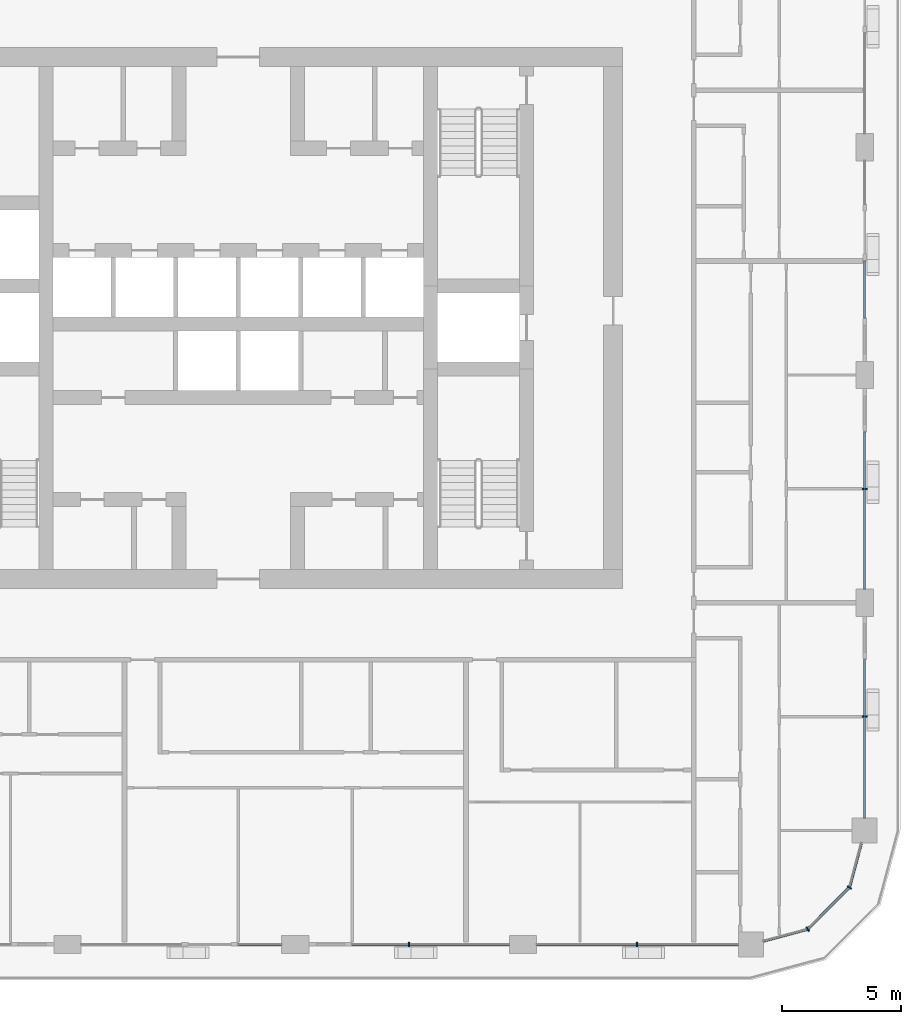
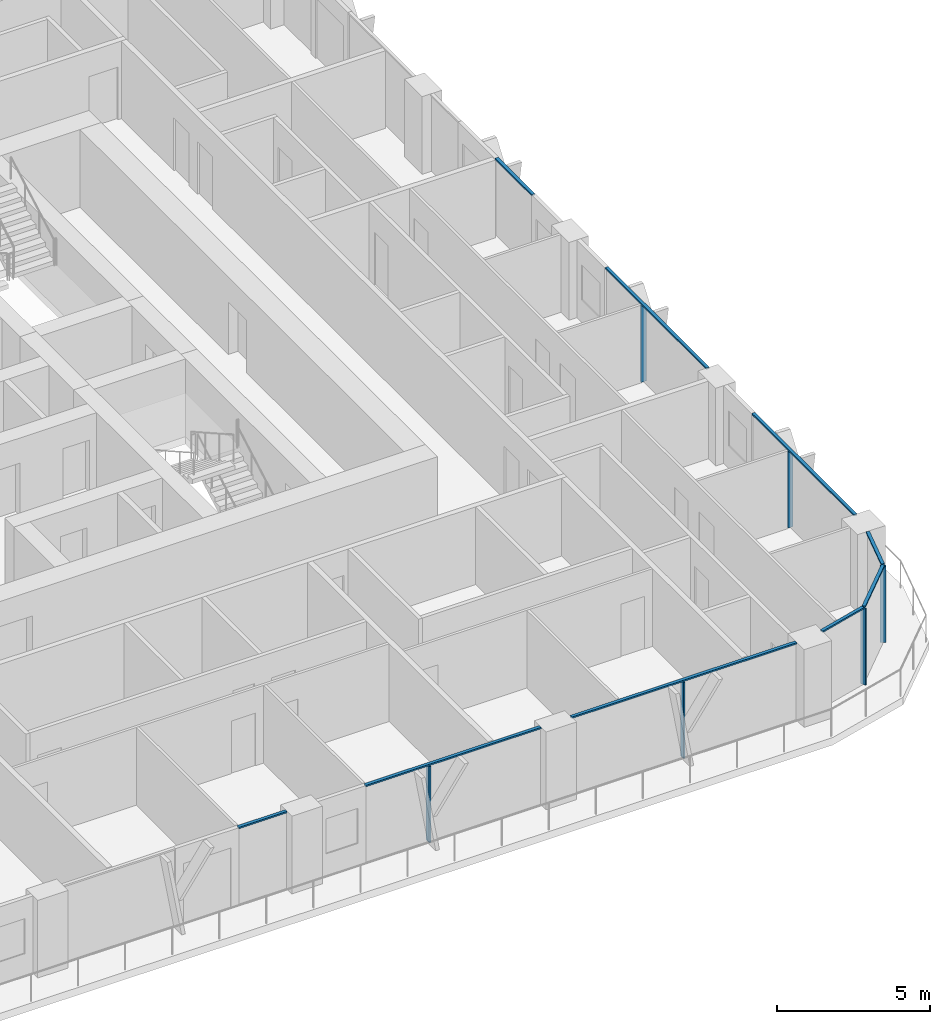
# One storey, part 4 of 22: 15 members, 7 elements without a shape of their own.
"""IFC4 building model written with IfcOpenShell, lengths in metres."""

from ifc_helpers import new_model, si_unit, direction, frame, origin, origin_2d, place, context, subcontext, project, spatial, rectangle, extrude, material, layer, layer_set, material_profile, profile_set, type_object, element, aggregate, save


model = new_model("IFC4")

# Units and contexts
model_context = context("Model", 3, precision=1e-05, world=origin(), true_north=direction((0.0, 1.0)))
body_context = subcontext(model_context, "Body", "Model", "MODEL_VIEW")
ifc_project = project(units=[si_unit("LENGTHUNIT", "METRE"), si_unit("AREAUNIT", "SQUARE_METRE"), si_unit("VOLUMEUNIT", "CUBIC_METRE"), si_unit("PLANEANGLEUNIT", "RADIAN"), si_unit("MASSUNIT", "GRAM", prefix="KILO")], contexts=[model_context])

# Site, building, storey
site_placement = place(None, origin())
site = spatial("IfcSite", under=ifc_project, at=site_placement, CompositionType="ELEMENT")
building_placement = place(site_placement, origin())
building = spatial("IfcBuilding", under=site, at=building_placement, Name="Madar Terraces", CompositionType="ELEMENT")
storey_placement = place(building_placement, frame((0.0, 0.0, 170.0)))
storey = spatial("IfcBuildingStorey", under=building, at=storey_placement, Name="L44", CompositionType="ELEMENT", Elevation=170.0)

# Curtain wall, member
ifc_material_1 = material(Name="Glass, ceramic frit dark grey, with black aluminium frame", Category="aluminium")
ifc_layer = layer(ifc_material_1, 0.199951171875)
ifc_layer_set = layer_set([ifc_layer], Name="Facade curtain wall, fritted glass")
curtain_wall_type = type_object("IfcCurtainWallType", Name="Facade curtain wall, fritted glass", PredefinedType="NOTDEFINED", material=ifc_layer_set)
curtain_wall_1_placement = place(storey_placement, origin())
curtain_wall_1 = element("IfcCurtainWall", 1, at=curtain_wall_1_placement, inside=storey, type_object=curtain_wall_type, Name="Outer skin curtain wall south bay 4", PredefinedType="NOTDEFINED")
ifc_material_2 = material(Name="Aluminium, black anodised", Category="aluminium")
ifc_material_profile_1 = material_profile(ifc_material_2, rectangle(XDim=0.199951171875, YDim=0.06005859375, at=origin_2d()), Name="Facade mullion 60x200")
ifc_profile_set_1 = profile_set([ifc_material_profile_1], Name="Aluminium, black anodised")
member_type_1 = type_object("IfcMemberType", Name="Facade mullion 60x200", PredefinedType="MULLION", material=ifc_profile_set_1)
member_1_placement = place(storey_placement, frame((38.39990234375, 0.0, 0.0), z_axis=(0.0, 0.0, 1.0), x_axis=(0.0, 1.0, 0.0)))
member_1 = element("IfcMember", 2, at=member_1_placement, type_object=member_type_1, Name="Mullion 1", PredefinedType="MULLION", context=body_context, shape_type="SweptSolid", body=[
    extrude(rectangle(XDim=0.199951171875, YDim=0.06005859375, at=origin_2d()), origin(), (0.0, 0.0, 1.0), 3.0400390625),
])

curtain_wall_2_placement = place(storey_placement, origin())
curtain_wall_2 = element("IfcCurtainWall", 3, at=curtain_wall_2_placement, inside=storey, type_object=curtain_wall_type, Name="Outer skin curtain wall south bay 5", PredefinedType="NOTDEFINED")
member_2_placement = place(storey_placement, frame((48.0, 0.0, 0.0), z_axis=(0.0, 0.0, 1.0), x_axis=(0.0, 1.0, 0.0)))
member_2 = element("IfcMember", 4, at=member_2_placement, type_object=member_type_1, Name="Mullion 1", PredefinedType="MULLION", context=body_context, shape_type="SweptSolid", body=[
    extrude(rectangle(XDim=0.199951171875, YDim=0.06005859375, at=origin_2d()), origin(), (0.0, 0.0, 1.0), 3.0400390625),
])

curtain_wall_3_placement = place(storey_placement, origin())
curtain_wall_3 = element("IfcCurtainWall", 5, at=curtain_wall_3_placement, inside=storey, type_object=curtain_wall_type, Name="Outer skin curtain wall east bay 1", PredefinedType="NOTDEFINED")
member_3_placement = place(storey_placement, frame((57.60009765625, 9.60009765625, 0.0), z_axis=(0.0, 0.0, 1.0), x_axis=(-1.0, 0.0, 0.0)))
member_3 = element("IfcMember", 6, at=member_3_placement, type_object=member_type_1, Name="Mullion 1", PredefinedType="MULLION", context=body_context, shape_type="SweptSolid", body=[
    extrude(rectangle(XDim=0.199951171875, YDim=0.06005859375, at=origin_2d()), origin(), (0.0, 0.0, 1.0), 3.0400390625),
])

curtain_wall_4_placement = place(storey_placement, origin())
curtain_wall_4 = element("IfcCurtainWall", 7, at=curtain_wall_4_placement, inside=storey, type_object=curtain_wall_type, Name="Outer skin curtain wall east bay 2", PredefinedType="NOTDEFINED")
member_4_placement = place(storey_placement, frame((57.60009765625, 19.199951171875, 0.0), z_axis=(0.0, 0.0, 1.0), x_axis=(-1.0, 0.0, 0.0)))
member_4 = element("IfcMember", 8, at=member_4_placement, type_object=member_type_1, Name="Mullion 1", PredefinedType="MULLION", context=body_context, shape_type="SweptSolid", body=[
    extrude(rectangle(XDim=0.199951171875, YDim=0.06005859375, at=origin_2d()), origin(), (0.0, 0.0, 1.0), 3.0400390625),
])

# Curtain wall, members
curtain_wall_5_placement = place(storey_placement, origin())
curtain_wall_5 = element("IfcCurtainWall", 9, at=curtain_wall_5_placement, inside=storey, type_object=curtain_wall_type, Name="Outer skin curtain wall south-east corner", PredefinedType="NOTDEFINED")
member_5_placement = place(storey_placement, frame((55.199951171875, 0.64306640625, 0.0), z_axis=(0.0, 0.0, 1.0), x_axis=(-0.499999989586, 0.866025409797, 0.0)))
member_5 = element("IfcMember", 10, at=member_5_placement, type_object=member_type_1, Name="Mullion 1", PredefinedType="MULLION", context=body_context, shape_type="SweptSolid", body=[
    extrude(rectangle(XDim=0.199951171875, YDim=0.06005859375, at=origin_2d()), origin(), (0.0, 0.0, 1.0), 3.0400390625),
])
member_6_placement = place(storey_placement, frame((56.95703125, 2.39990234375, 0.0), z_axis=(0.0, 0.0, 1.0), x_axis=(-0.866025409797, 0.499999989586, 0.0)))
member_6 = element("IfcMember", 11, at=member_6_placement, type_object=member_type_1, Name="Mullion 2", PredefinedType="MULLION", context=body_context, shape_type="SweptSolid", body=[
    extrude(rectangle(XDim=0.199951171875, YDim=0.06005859375, at=origin_2d()), origin(), (0.0, 0.0, 1.0), 3.0400390625),
])

# Curtain wall, member
curtain_wall_6_placement = place(storey_placement, origin())
curtain_wall_6 = element("IfcCurtainWall", 12, at=curtain_wall_6_placement, inside=storey, type_object=curtain_wall_type, Name="Outer skin curtain wall south bay 3", PredefinedType="NOTDEFINED")
ifc_material_3 = material(Name="Aluminium, black anodised", Category="aluminium")
ifc_material_profile_2 = material_profile(ifc_material_3, rectangle(XDim=0.1201171875, YDim=0.06005859375, at=origin_2d()), Name="Facade transom 60x120")
ifc_profile_set_2 = profile_set([ifc_material_profile_2], Name="Aluminium, black anodised")
member_type_2 = type_object("IfcMemberType", Name="Facade transom 60x120", PredefinedType="USERDEFINED", material=ifc_profile_set_2)
member_7_placement = place(storey_placement, frame((31.199951171875, 0.0, 3.070068359375), z_axis=(1.0, 0.0, 0.0), x_axis=(0.0, 1.0, 0.0)))
member_7 = element("IfcMember", 13, at=member_7_placement, type_object=member_type_2, Name="Transom 2", ObjectType="TRANSOM", PredefinedType="USERDEFINED", context=body_context, shape_type="SweptSolid", body=[
    extrude(rectangle(XDim=0.1201171875, YDim=0.06005859375, at=origin_2d()), origin(), (0.0, 0.0, 1.0), 1.824951171875),
])
aggregate(curtain_wall_6, [member_7])

# Member
member_8_placement = place(storey_placement, frame((36.0, 0.0, 3.070068359375), z_axis=(1.0, 0.0, 0.0), x_axis=(0.0, 1.0, 0.0)))
member_8 = element("IfcMember", 14, at=member_8_placement, type_object=member_type_2, Name="Transom 1", ObjectType="TRANSOM", PredefinedType="USERDEFINED", context=body_context, shape_type="SweptSolid", body=[
    extrude(rectangle(XDim=0.1201171875, YDim=0.06005859375, at=origin_2d()), origin(), (0.0, 0.0, 1.0), 6.625),
])

aggregate(curtain_wall_1, [member_1, member_8])

member_9_placement = place(storey_placement, frame((43.77490234375, 0.0, 3.070068359375), z_axis=(1.0, 0.0, 0.0), x_axis=(0.0, 1.0, 0.0)))
member_9 = element("IfcMember", 15, at=member_9_placement, type_object=member_type_2, Name="Transom 1", ObjectType="TRANSOM", PredefinedType="USERDEFINED", context=body_context, shape_type="SweptSolid", body=[
    extrude(rectangle(XDim=0.1201171875, YDim=0.06005859375, at=origin_2d()), origin(), (0.0, 0.0, 1.0), 8.5),
])

aggregate(curtain_wall_2, [member_2, member_9])

member_10_placement = place(storey_placement, frame((57.60009765625, 5.324951171875, 3.070068359375), z_axis=(0.0, 1.0, 0.0), x_axis=(-1.0, 0.0, 0.0)))
member_10 = element("IfcMember", 16, at=member_10_placement, type_object=member_type_2, Name="Transom 1", ObjectType="TRANSOM", PredefinedType="USERDEFINED", context=body_context, shape_type="SweptSolid", body=[
    extrude(rectangle(XDim=0.1201171875, YDim=0.06005859375, at=origin_2d()), origin(), (0.0, 0.0, 1.0), 6.675048828125),
])

aggregate(curtain_wall_3, [member_3, member_10])

member_11_placement = place(storey_placement, frame((57.60009765625, 14.97509765625, 3.070068359375), z_axis=(0.0, 1.0, 0.0), x_axis=(-1.0, 0.0, 0.0)))
member_11 = element("IfcMember", 17, at=member_11_placement, type_object=member_type_2, Name="Transom 1", ObjectType="TRANSOM", PredefinedType="USERDEFINED", context=body_context, shape_type="SweptSolid", body=[
    extrude(rectangle(XDim=0.1201171875, YDim=0.06005859375, at=origin_2d()), origin(), (0.0, 0.0, 1.0), 6.625),
])

aggregate(curtain_wall_4, [member_4, member_11])

# Curtain wall, member
curtain_wall_7_placement = place(storey_placement, origin())
curtain_wall_7 = element("IfcCurtainWall", 18, at=curtain_wall_7_placement, inside=storey, type_object=curtain_wall_type, Name="Outer skin curtain wall east bay 3", PredefinedType="NOTDEFINED")
member_12_placement = place(storey_placement, frame((57.60009765625, 26.39990234375, 3.070068359375), z_axis=(0.0, 1.0, 0.0), x_axis=(-1.0, 0.0, 0.0)))
member_12 = element("IfcMember", 19, at=member_12_placement, type_object=member_type_2, Name="Transom 1", ObjectType="TRANSOM", PredefinedType="USERDEFINED", context=body_context, shape_type="SweptSolid", body=[
    extrude(rectangle(XDim=0.1201171875, YDim=0.06005859375, at=origin_2d()), origin(), (0.0, 0.0, 1.0), 2.400146484375),
])
aggregate(curtain_wall_7, [member_12])

# Member
member_13_placement = place(storey_placement, frame((53.324951171875, 0.140625, 3.070068359375), z_axis=(0.965933227928, 0.25879142023, 0.0), x_axis=(-0.25879142023, 0.965933227928, 0.0)))
member_13 = element("IfcMember", 20, at=member_13_placement, type_object=member_type_2, Name="Transom 1", ObjectType="TRANSOM", PredefinedType="USERDEFINED", context=body_context, shape_type="SweptSolid", body=[
    extrude(rectangle(XDim=0.1201171875, YDim=0.06005859375, at=origin_2d()), origin(), (0.0, 0.0, 1.0), 1.911376953125),
])

member_14_placement = place(storey_placement, frame((55.22119140625, 0.664306640625, 3.070068359375), z_axis=(0.707106781187, 0.707106781187, 0.0), x_axis=(-0.707106781187, 0.707106781187, 0.0)))
member_14 = element("IfcMember", 21, at=member_14_placement, type_object=member_type_2, Name="Transom 2", ObjectType="TRANSOM", PredefinedType="USERDEFINED", context=body_context, shape_type="SweptSolid", body=[
    extrude(rectangle(XDim=0.1201171875, YDim=0.06005859375, at=origin_2d()), origin(), (0.0, 0.0, 1.0), 2.4248046875),
])

member_15_placement = place(storey_placement, frame((56.964599609375, 2.428955078125, 3.070068359375), z_axis=(0.258823354654, 0.965924671538, 0.0), x_axis=(-0.965924671538, 0.258823354654, 0.0)))
member_15 = element("IfcMember", 22, at=member_15_placement, type_object=member_type_2, Name="Transom 3", ObjectType="TRANSOM", PredefinedType="USERDEFINED", context=body_context, shape_type="SweptSolid", body=[
    extrude(rectangle(XDim=0.1201171875, YDim=0.06005859375, at=origin_2d()), origin(), (0.0, 0.0, 1.0), 1.9111328125),
])

aggregate(curtain_wall_5, [member_5, member_13, member_6, member_14, member_15])

save(model, "model.ifc")
